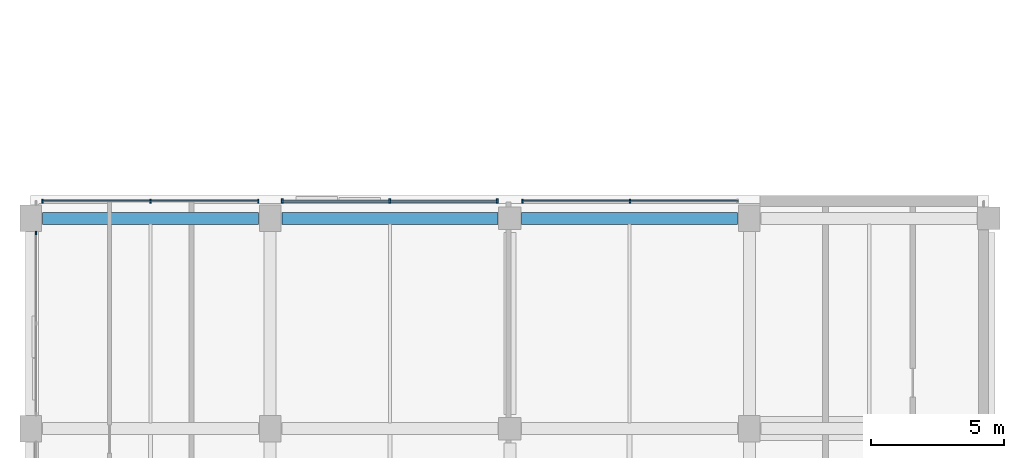
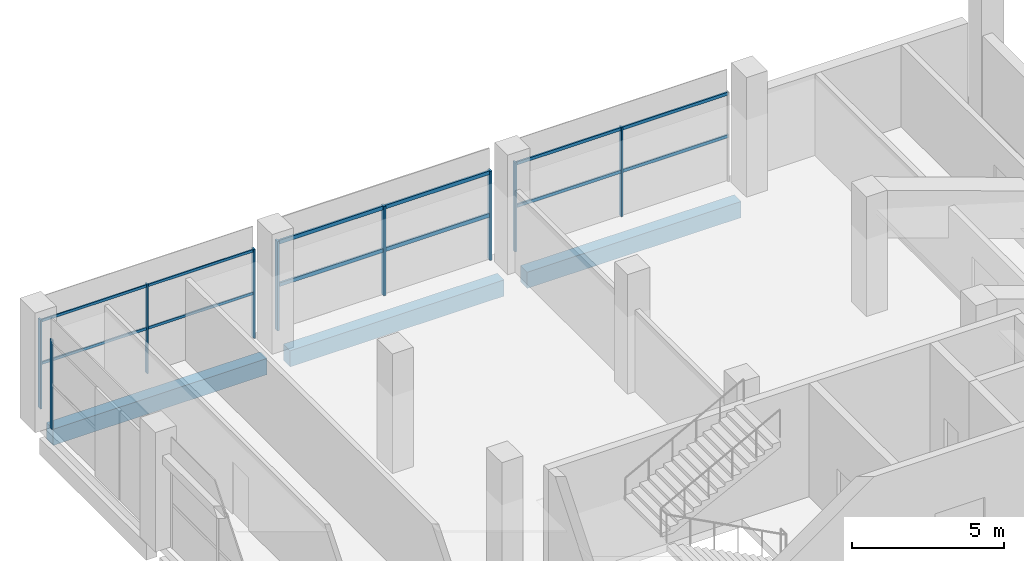
# One storey, part 31 of 66: 15 members, 3 beams, 4 elements without a shape of their own.
"""IFC4 building model written with IfcOpenShell, lengths in metres."""

from ifc_helpers import new_model, si_unit, direction, frame, origin, origin_2d, place, context, subcontext, project, spatial, rectangle, extrude, material, material_profile, profile_set, type_object, element, aggregate, save


model = new_model("IFC4")

# Units and contexts
model_context = context("Model", 3, precision=1e-05, world=origin(), true_north=direction((0.0, 1.0)))
body_context = subcontext(model_context, "Body", "Model", "MODEL_VIEW")
ifc_project = project(units=[si_unit("LENGTHUNIT", "METRE"), si_unit("AREAUNIT", "SQUARE_METRE"), si_unit("VOLUMEUNIT", "CUBIC_METRE"), si_unit("PLANEANGLEUNIT", "RADIAN"), si_unit("MASSUNIT", "GRAM", prefix="KILO"), si_unit("THERMODYNAMICTEMPERATUREUNIT", "KELVIN"), si_unit("POWERUNIT", "WATT")], contexts=[model_context])

# Site, building, storey
site_placement = place(None, origin())
site = spatial("IfcSite", under=ifc_project, at=site_placement, CompositionType="ELEMENT")
building_placement = place(site_placement, origin())
building = spatial("IfcBuilding", under=site, at=building_placement, Name="Sindhuravela Promenade Stadium", CompositionType="ELEMENT")
storey_placement = place(building_placement, frame((0.0, 0.0, 19.199951171875)))
storey = spatial("IfcBuildingStorey", under=building, at=storey_placement, Name="L04", CompositionType="ELEMENT", Elevation=19.199951171875)

# Curtain wall, members
ifc_material_1 = material(Name="Anodised architectural aluminium 6063-T6", Category="aluminium")
curtain_wall_type_1 = type_object("IfcCurtainWallType", Name="CW-MOD-5", PredefinedType="NOTDEFINED", material=ifc_material_1)
curtain_wall_1_placement = place(storey_placement, origin())
curtain_wall_1 = element("IfcCurtainWall", 1, at=curtain_wall_1_placement, inside=storey, type_object=curtain_wall_type_1, Name="Bronze curtain wall CW-WEST-L04-060", PredefinedType="NOTDEFINED")
ifc_material_profile_1 = material_profile(ifc_material_1, rectangle(XDim=0.074951171875, YDim=0.175048828125, at=origin_2d()), Name="ALU MULL 75x175")
ifc_profile_set_1 = profile_set([ifc_material_profile_1], Name="Anodised architectural aluminium 6063-T6")
member_type_1 = type_object("IfcMemberType", Name="CW-MUL-1", PredefinedType="MULLION", material=ifc_profile_set_1)
member_1_placement = place(storey_placement, frame((9.449951171875, 125.550048828125, 0.0), z_axis=(0.0, 0.0, 1.0), x_axis=(1.0, 0.0, 0.0)))
member_1 = element("IfcMember", 2, at=member_1_placement, type_object=member_type_1, Name="Curtain wall mullion CW-WEST-L04-060-M1", PredefinedType="MULLION", context=body_context, shape_type="SweptSolid", body=[
    extrude(rectangle(XDim=0.074951171875, YDim=0.175048828125, at=origin_2d()), origin(), (0.0, 0.0, 1.0), 3.580078125),
])
member_2_placement = place(storey_placement, frame((13.487548828125, 125.550048828125, 0.0), z_axis=(0.0, 0.0, 1.0), x_axis=(1.0, 0.0, 0.0)))
member_2 = element("IfcMember", 3, at=member_2_placement, type_object=member_type_1, Name="Curtain wall mullion CW-WEST-L04-060-M2", PredefinedType="MULLION", context=body_context, shape_type="SweptSolid", body=[
    extrude(rectangle(XDim=0.074951171875, YDim=0.175048828125, at=origin_2d()), origin(), (0.0, 0.0, 1.0), 3.580078125),
])
member_3_placement = place(storey_placement, frame((17.52490234375, 125.550048828125, 0.0), z_axis=(0.0, 0.0, 1.0), x_axis=(1.0, 0.0, 0.0)))
member_3 = element("IfcMember", 4, at=member_3_placement, type_object=member_type_1, Name="Curtain wall mullion CW-WEST-L04-060-M3", PredefinedType="MULLION", context=body_context, shape_type="SweptSolid", body=[
    extrude(rectangle(XDim=0.074951171875, YDim=0.175048828125, at=origin_2d()), origin(), (0.0, 0.0, 1.0), 3.580078125),
])

curtain_wall_type_2 = type_object("IfcCurtainWallType", Name="CW-MOD-6", PredefinedType="NOTDEFINED", material=ifc_material_1)
curtain_wall_2_placement = place(storey_placement, origin())
curtain_wall_2 = element("IfcCurtainWall", 5, at=curtain_wall_2_placement, inside=storey, type_object=curtain_wall_type_2, Name="Bronze curtain wall CW-WEST-L04-061", PredefinedType="NOTDEFINED")
ifc_material_profile_2 = material_profile(ifc_material_1, rectangle(XDim=0.06494140625, YDim=0.14990234375, at=origin_2d()), Name="ALU MULL 65x150")
ifc_profile_set_2 = profile_set([ifc_material_profile_2], Name="Anodised architectural aluminium 6063-T6")
member_type_2 = type_object("IfcMemberType", Name="CW-MUL-2", PredefinedType="MULLION", material=ifc_profile_set_2)
member_4_placement = place(storey_placement, frame((18.47509765625, 125.550048828125, 0.0), z_axis=(0.0, 0.0, 1.0), x_axis=(1.0, 0.0, 0.0)))
member_4 = element("IfcMember", 6, at=member_4_placement, type_object=member_type_2, Name="Curtain wall mullion CW-WEST-L04-061-M1", PredefinedType="MULLION", context=body_context, shape_type="SweptSolid", body=[
    extrude(rectangle(XDim=0.06494140625, YDim=0.14990234375, at=origin_2d()), origin(), (0.0, 0.0, 1.0), 3.580078125),
])
member_5_placement = place(storey_placement, frame((22.512451171875, 125.550048828125, 0.0), z_axis=(0.0, 0.0, 1.0), x_axis=(1.0, 0.0, 0.0)))
member_5 = element("IfcMember", 7, at=member_5_placement, type_object=member_type_2, Name="Curtain wall mullion CW-WEST-L04-061-M2", PredefinedType="MULLION", context=body_context, shape_type="SweptSolid", body=[
    extrude(rectangle(XDim=0.06494140625, YDim=0.14990234375, at=origin_2d()), origin(), (0.0, 0.0, 1.0), 3.580078125),
])

# Curtain wall, member
curtain_wall_type_3 = type_object("IfcCurtainWallType", Name="CW-MOD-3", PredefinedType="NOTDEFINED", material=ifc_material_1)
curtain_wall_3_placement = place(storey_placement, origin())
curtain_wall_3 = element("IfcCurtainWall", 8, at=curtain_wall_3_placement, inside=storey, type_object=curtain_wall_type_3, Name="Bronze curtain wall CW-WEST-L04-058", PredefinedType="NOTDEFINED")
ifc_material_profile_3 = material_profile(ifc_material_1, rectangle(XDim=0.06005859375, YDim=0.139892578125, at=origin_2d()), Name="ALU M60x140")
ifc_profile_set_3 = profile_set([ifc_material_profile_3], Name="Anodised architectural aluminium 6063-T6")
member_type_3 = type_object("IfcMemberType", Name="CW-MUL-5", PredefinedType="MULLION", material=ifc_profile_set_3)
member_6_placement = place(storey_placement, frame((0.199951171875, 124.35009765625, 0.0), z_axis=(0.0, 0.0, 1.0), x_axis=(1.0, 0.0, 0.0)))
member_6 = element("IfcMember", 9, at=member_6_placement, type_object=member_type_3, Name="Curtain wall mullion CW-WEST-L04-058-M3", PredefinedType="MULLION", context=body_context, shape_type="SweptSolid", body=[
    extrude(rectangle(XDim=0.06005859375, YDim=0.139892578125, at=origin_2d()), origin(), (0.0, 0.0, 1.0), 3.580078125),
])
aggregate(curtain_wall_3, [member_6])

# Curtain wall, members
curtain_wall_type_4 = type_object("IfcCurtainWallType", Name="CW-MOD-4", PredefinedType="NOTDEFINED", material=ifc_material_1)
curtain_wall_4_placement = place(storey_placement, origin())
curtain_wall_4 = element("IfcCurtainWall", 10, at=curtain_wall_4_placement, inside=storey, type_object=curtain_wall_type_4, Name="Bronze curtain wall CW-WEST-L04-059", PredefinedType="NOTDEFINED")
ifc_material_profile_4 = material_profile(ifc_material_1, rectangle(XDim=0.054931640625, YDim=0.14990234375, at=origin_2d()), Name="ALU M55x150")
ifc_profile_set_4 = profile_set([ifc_material_profile_4], Name="Anodised architectural aluminium 6063-T6")
member_type_4 = type_object("IfcMemberType", Name="CW-MUL-6", PredefinedType="MULLION", material=ifc_profile_set_4)
member_7_placement = place(storey_placement, frame((0.449951171875, 125.550048828125, 0.0), z_axis=(0.0, 0.0, 1.0), x_axis=(1.0, 0.0, 0.0)))
member_7 = element("IfcMember", 11, at=member_7_placement, type_object=member_type_4, Name="Curtain wall mullion CW-WEST-L04-059-M1", PredefinedType="MULLION", context=body_context, shape_type="SweptSolid", body=[
    extrude(rectangle(XDim=0.054931640625, YDim=0.14990234375, at=origin_2d()), origin(), (0.0, 0.0, 1.0), 3.580078125),
])
member_8_placement = place(storey_placement, frame((4.5, 125.550048828125, 0.0), z_axis=(0.0, 0.0, 1.0), x_axis=(1.0, 0.0, 0.0)))
member_8 = element("IfcMember", 12, at=member_8_placement, type_object=member_type_4, Name="Curtain wall mullion CW-WEST-L04-059-M2", PredefinedType="MULLION", context=body_context, shape_type="SweptSolid", body=[
    extrude(rectangle(XDim=0.054931640625, YDim=0.14990234375, at=origin_2d()), origin(), (0.0, 0.0, 1.0), 3.580078125),
])
member_9_placement = place(storey_placement, frame((8.550048828125, 125.550048828125, 0.0), z_axis=(0.0, 0.0, 1.0), x_axis=(1.0, 0.0, 0.0)))
member_9 = element("IfcMember", 13, at=member_9_placement, type_object=member_type_4, Name="Curtain wall mullion CW-WEST-L04-059-M3", PredefinedType="MULLION", context=body_context, shape_type="SweptSolid", body=[
    extrude(rectangle(XDim=0.054931640625, YDim=0.14990234375, at=origin_2d()), origin(), (0.0, 0.0, 1.0), 3.580078125),
])

# Member
ifc_material_profile_5 = material_profile(ifc_material_1, rectangle(XDim=0.074951171875, YDim=0.14990234375, at=origin_2d()), Name="ALU TRAN 75x150")
ifc_profile_set_5 = profile_set([ifc_material_profile_5], Name="Anodised architectural aluminium 6063-T6")
member_type_5 = type_object("IfcMemberType", Name="CW-TRN-1", PredefinedType="USERDEFINED", material=ifc_profile_set_5)
member_10_placement = place(storey_placement, frame((9.425048828125, 125.550048828125, 1.7900390625), z_axis=(1.0, 0.0, 0.0), x_axis=(0.0, 1.0, 0.0)))
member_10 = element("IfcMember", 14, at=member_10_placement, type_object=member_type_5, Name="Curtain wall transom CW-WEST-L04-060-T1", ObjectType="TRANSOM", PredefinedType="USERDEFINED", context=body_context, shape_type="SweptSolid", body=[
    extrude(rectangle(XDim=0.074951171875, YDim=0.14990234375, at=origin_2d()), origin(), (0.0, 0.0, 1.0), 8.125),
])

member_11_placement = place(storey_placement, frame((9.425048828125, 125.550048828125, 3.5), z_axis=(1.0, 0.0, 0.0), x_axis=(0.0, 1.0, 0.0)))
member_11 = element("IfcMember", 15, at=member_11_placement, type_object=member_type_5, Name="Curtain wall transom CW-WEST-L04-060-T2", ObjectType="TRANSOM", PredefinedType="USERDEFINED", context=body_context, shape_type="SweptSolid", body=[
    extrude(rectangle(XDim=0.074951171875, YDim=0.14990234375, at=origin_2d()), origin(), (0.0, 0.0, 1.0), 8.125),
])

aggregate(curtain_wall_1, [member_1, member_2, member_3, member_10, member_11])

ifc_material_profile_6 = material_profile(ifc_material_1, rectangle(XDim=0.06494140625, YDim=0.125, at=origin_2d()), Name="ALU TRAN 65x125")
ifc_profile_set_6 = profile_set([ifc_material_profile_6], Name="Anodised architectural aluminium 6063-T6")
member_type_6 = type_object("IfcMemberType", Name="CW-TRN-2", PredefinedType="USERDEFINED", material=ifc_profile_set_6)
member_12_placement = place(storey_placement, frame((18.449951171875, 125.550048828125, 1.7900390625), z_axis=(1.0, 0.0, 0.0), x_axis=(0.0, 1.0, 0.0)))
member_12 = element("IfcMember", 16, at=member_12_placement, type_object=member_type_6, Name="Curtain wall transom CW-WEST-L04-061-T1", ObjectType="TRANSOM", PredefinedType="USERDEFINED", context=body_context, shape_type="SweptSolid", body=[
    extrude(rectangle(XDim=0.06494140625, YDim=0.125, at=origin_2d()), origin(), (0.0, 0.0, 1.0), 8.125),
])

member_13_placement = place(storey_placement, frame((18.449951171875, 125.550048828125, 3.5), z_axis=(1.0, 0.0, 0.0), x_axis=(0.0, 1.0, 0.0)))
member_13 = element("IfcMember", 17, at=member_13_placement, type_object=member_type_6, Name="Curtain wall transom CW-WEST-L04-061-T2", ObjectType="TRANSOM", PredefinedType="USERDEFINED", context=body_context, shape_type="SweptSolid", body=[
    extrude(rectangle(XDim=0.06494140625, YDim=0.125, at=origin_2d()), origin(), (0.0, 0.0, 1.0), 8.125),
])

aggregate(curtain_wall_2, [member_4, member_5, member_12, member_13])

ifc_material_profile_7 = material_profile(ifc_material_1, rectangle(XDim=0.054931640625, YDim=0.10498046875, at=origin_2d()), Name="ALU T55x105")
ifc_profile_set_7 = profile_set([ifc_material_profile_7], Name="Anodised architectural aluminium 6063-T6")
member_type_7 = type_object("IfcMemberType", Name="CW-TRN-6", PredefinedType="USERDEFINED", material=ifc_profile_set_7)
member_14_placement = place(storey_placement, frame((0.425048828125, 125.550048828125, 1.7900390625), z_axis=(1.0, 0.0, 0.0), x_axis=(0.0, 1.0, 0.0)))
member_14 = element("IfcMember", 18, at=member_14_placement, type_object=member_type_7, Name="Curtain wall transom CW-WEST-L04-059-T1", ObjectType="TRANSOM", PredefinedType="USERDEFINED", context=body_context, shape_type="SweptSolid", body=[
    extrude(rectangle(XDim=0.054931640625, YDim=0.10498046875, at=origin_2d()), origin(), (0.0, 0.0, 1.0), 8.14990234375),
])

member_15_placement = place(storey_placement, frame((0.425048828125, 125.550048828125, 3.5), z_axis=(1.0, 0.0, 0.0), x_axis=(0.0, 1.0, 0.0)))
member_15 = element("IfcMember", 19, at=member_15_placement, type_object=member_type_7, Name="Curtain wall transom CW-WEST-L04-059-T2", ObjectType="TRANSOM", PredefinedType="USERDEFINED", context=body_context, shape_type="SweptSolid", body=[
    extrude(rectangle(XDim=0.054931640625, YDim=0.10498046875, at=origin_2d()), origin(), (0.0, 0.0, 1.0), 8.14990234375),
])

aggregate(curtain_wall_4, [member_7, member_8, member_9, member_14, member_15])

# Beams
ifc_material_2 = material(Name="Concrete M40", Category="concrete")
ifc_material_profile_8 = material_profile(ifc_material_2, rectangle(XDim=0.449951171875, YDim=0.64990234375, at=origin_2d()), Name="RC 450x650")
ifc_profile_set_8 = profile_set([ifc_material_profile_8], Name="Concrete M40")
beam_type = type_object("IfcBeamType", Name="RC-BM-450x650", PredefinedType="T_BEAM", material=ifc_profile_set_8)
for number, where, z_axis, x_axis, name in (
    (20, (0.43994140625, 124.89990234375, -0.64501953125), (1.0, 0.0, 0.0), (0.0, 1.0, 0.0), "Primary girder GB08 WEST L04"),
    (21, (9.43994140625, 124.89990234375, -0.64501953125), (1.0, 0.0, 0.0), (0.0, 1.0, 0.0), "Primary girder GB08 WEST L04"),
    (22, (18.43994140625, 124.89990234375, -0.64501953125), (1.0, 0.0, 0.0), (0.0, 1.0, 0.0), "Primary girder GB08 WEST L04"),
):
    element("IfcBeam", number, at=place(storey_placement, frame(where, z_axis=z_axis, x_axis=x_axis)), inside=storey, type_object=beam_type, Name=name, PredefinedType="T_BEAM", context=body_context, shape_type="SweptSolid", body=[
        extrude(rectangle(XDim=0.449951171875, YDim=0.64990234375, at=origin_2d()), origin(), (0.0, 0.0, 1.0), 8.1201171875),
    ])

save(model, "model.ifc")
